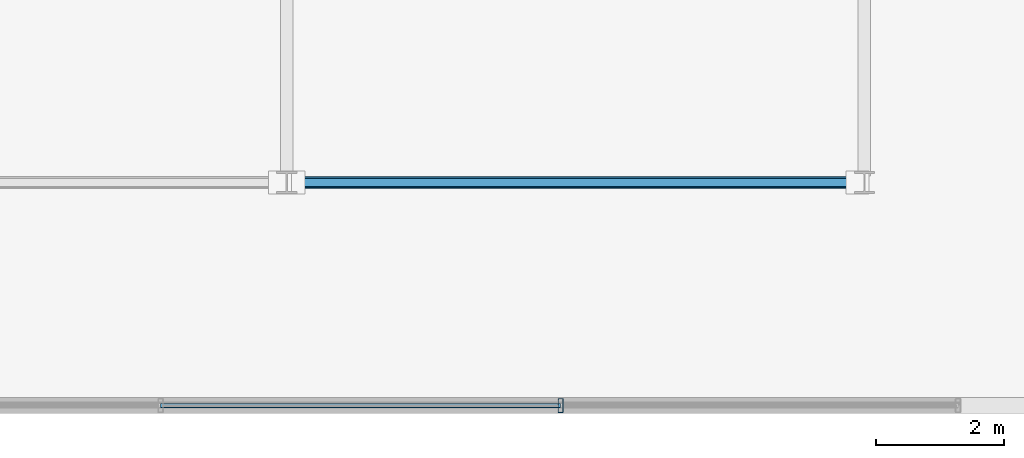
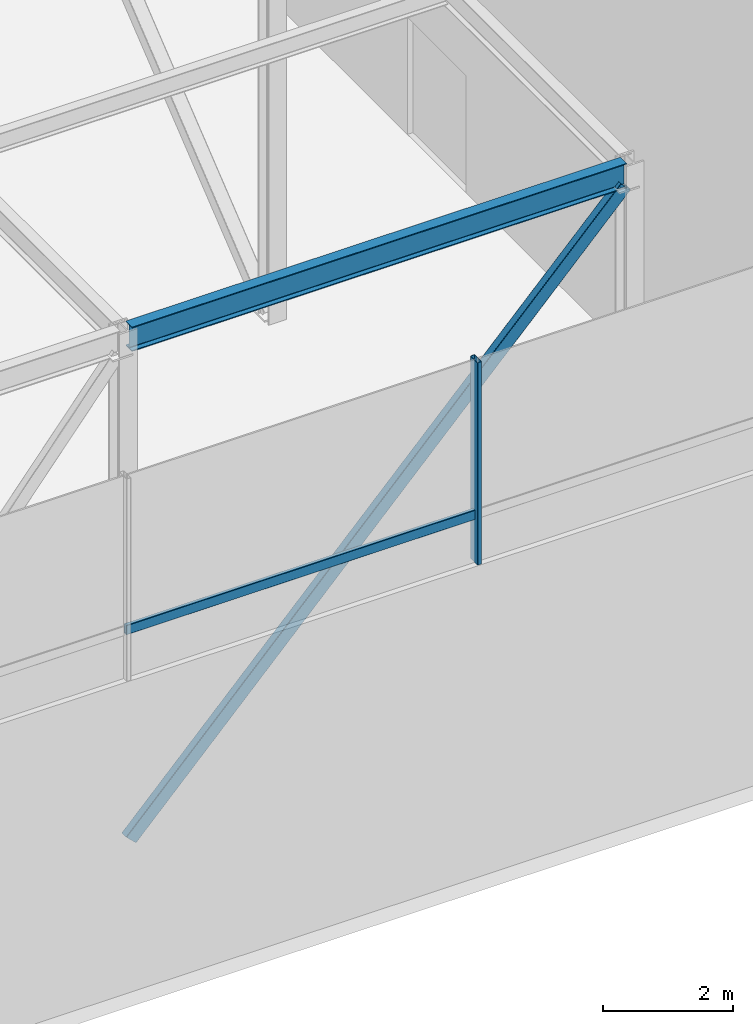
# One storey, part 7 of 42: 3 members, 1 beam, 1 element without a shape of its own.
"""IFC4 building model written with IfcOpenShell, lengths in metres."""

from ifc_helpers import new_model, si_unit, direction, frame, origin, origin_2d, place, context, subcontext, project, spatial, hollow_rectangle, i_section, extrude, material, layer, layer_set, material_profile, profile_set, type_object, element, aggregate, save


model = new_model("IFC4")

# Units and contexts
model_context = context("Model", 3, precision=1e-05, world=origin(), true_north=direction((0.0, 1.0)))
body_context = subcontext(model_context, "Body", "Model", "MODEL_VIEW")
ifc_project = project(units=[si_unit("LENGTHUNIT", "METRE"), si_unit("AREAUNIT", "SQUARE_METRE"), si_unit("VOLUMEUNIT", "CUBIC_METRE"), si_unit("PLANEANGLEUNIT", "RADIAN"), si_unit("MASSUNIT", "GRAM", prefix="KILO")], contexts=[model_context])

# Site, building, storey
site_placement = place(None, origin())
site = spatial("IfcSite", under=ifc_project, at=site_placement, CompositionType="ELEMENT")
building_placement = place(site_placement, origin())
building = spatial("IfcBuilding", under=site, at=building_placement, Name="Korimba Cascade Residences", CompositionType="ELEMENT")
storey_placement = place(building_placement, frame((0.0, 0.0, 207.60009765625)))
storey = spatial("IfcBuildingStorey", under=building, at=storey_placement, Name="L60", CompositionType="ELEMENT", Elevation=207.60009765625)

# Beam
ifc_material_1 = material(Name="Steel S355", Category="steel")
ifc_material_profile_1 = material_profile(ifc_material_1, i_section(OverallWidth=0.19140625, OverallDepth=0.4599609375, WebThickness=0.010009765625, FlangeThickness=0.01611328125, FilletRadius=0.01025390625, at=origin_2d()), Name="Steel S355")
ifc_profile_set_1 = profile_set([ifc_material_profile_1], Name="Steel S355")
beam_type = type_object("IfcBeamType", Name="BM-STL-UB457", PredefinedType="JOIST", material=ifc_profile_set_1)
beam_placement = place(storey_placement, frame((82.205078125, -4.199951171875, 9.419921875), z_axis=(1.0, 0.0, 0.0), x_axis=(0.0, 1.0, 0.0)))
element("IfcBeam", 1, at=beam_placement, inside=storey, type_object=beam_type, Name="L60 Crown Cap Ring Beam W1.2", PredefinedType="JOIST", context=body_context, shape_type="SweptSolid", body=[
    extrude(i_section(OverallWidth=0.19140625, OverallDepth=0.4599609375, WebThickness=0.010009765625, FlangeThickness=0.01611328125, FilletRadius=0.01025390625, at=origin_2d()), origin(), (0.0, 0.0, 1.0), 8.7900390625),
])

# Curtain wall, members
ifc_material_2 = material(Name="Anodised Aluminium Curtain Wall Framing", Category="aluminium")
ifc_layer = layer(ifc_material_2, 0.179931640625)
ifc_layer_set = layer_set([ifc_layer], Name="Anodised Aluminium Curtain Wall Framing")
curtain_wall_type = type_object("IfcCurtainWallType", Name="CW-CRNE-SYS6", PredefinedType="NOTDEFINED", material=ifc_layer_set)
curtain_wall_placement = place(storey_placement, origin())
curtain_wall = element("IfcCurtainWall", 2, at=curtain_wall_placement, inside=storey, type_object=curtain_wall_type, Name="L60 Curtain Wall CW-L60-CRN-W-3", PredefinedType="NOTDEFINED")
ifc_material_3 = material(Name="Anodised Aluminium Mullion", Category="aluminium")
ifc_material_profile_2 = material_profile(ifc_material_3, hollow_rectangle(XDim=0.080078125, YDim=0.219970703125, WallThickness=0.00634765625, InnerFilletRadius=0.00634765625, OuterFilletRadius=0.0126953125, at=origin_2d()), Name="Anodised Aluminium Mullion")
ifc_profile_set_2 = profile_set([ifc_material_profile_2], Name="Anodised Aluminium Mullion")
member_type_1 = type_object("IfcMemberType", Name="CWM-MUL-220", PredefinedType="MULLION", material=ifc_profile_set_2)
member_1_placement = place(storey_placement, frame((86.36669921875, -7.675048828125, 5.849853515625), z_axis=(0.0, 0.0, 1.0), x_axis=(1.0, 0.0, 0.0)))
member_1 = element("IfcMember", 3, at=member_1_placement, type_object=member_type_1, Name="CW-L60-CRN-W-3 Mullion 3", PredefinedType="MULLION", context=body_context, shape_type="SweptSolid", body=[
    extrude(hollow_rectangle(XDim=0.080078125, YDim=0.219970703125, WallThickness=0.00634765625, InnerFilletRadius=0.00634765625, OuterFilletRadius=0.0126953125, at=origin_2d()), origin(), (0.0, 0.0, 1.0), 3.800048828125),
])
ifc_material_4 = material(Name="Anodised Aluminium Transom", Category="aluminium")
ifc_material_profile_3 = material_profile(ifc_material_4, hollow_rectangle(XDim=0.070068359375, YDim=0.179931640625, WallThickness=0.0048828125, InnerFilletRadius=0.0048828125, OuterFilletRadius=0.010009765625, at=origin_2d()), Name="Anodised Aluminium Transom")
ifc_profile_set_3 = profile_set([ifc_material_profile_3], Name="Anodised Aluminium Transom")
member_type_2 = type_object("IfcMemberType", Name="CWM-TRN-150", PredefinedType="USERDEFINED", material=ifc_profile_set_3)
member_2_placement = place(storey_placement, frame((80.13330078125, -7.675048828125, 6.75), z_axis=(1.0, 0.0, 0.0), x_axis=(0.0, 1.0, 0.0)))
member_2 = element("IfcMember", 4, at=member_2_placement, type_object=member_type_2, Name="CW-L60-CRN-W-3 Transom 2", ObjectType="TRANSOM", PredefinedType="USERDEFINED", context=body_context, shape_type="SweptSolid", body=[
    extrude(hollow_rectangle(XDim=0.070068359375, YDim=0.179931640625, WallThickness=0.0048828125, InnerFilletRadius=0.0048828125, OuterFilletRadius=0.010009765625, at=origin_2d()), origin(), (0.0, 0.0, 1.0), 6.2333984375),
])
aggregate(curtain_wall, [member_1, member_2])

# Member
ifc_material_profile_4 = material_profile(ifc_material_1, hollow_rectangle(XDim=0.14990234375, YDim=0.25, WallThickness=0.009033203125, InnerFilletRadius=0.009033203125, OuterFilletRadius=0.01806640625, at=origin_2d()), Name="Steel S355")
ifc_profile_set_4 = profile_set([ifc_material_profile_4], Name="Steel S355")
member_type_3 = type_object("IfcMemberType", Name="MEM-CRN-RHS250", PredefinedType="BRACE", material=ifc_profile_set_4)
member_3_placement = place(storey_placement, frame((82.205078125, -4.199951171875, 0.0), z_axis=(0.690978589463, 0.0, 0.722875223606), x_axis=(0.0, 1.0, 0.0)))
element("IfcMember", 5, at=member_3_placement, inside=storey, type_object=member_type_3, Name="L60 CROWN FRAME Diagonal Brace W1.2", PredefinedType="BRACE", context=body_context, shape_type="SweptSolid", body=[
    extrude(hollow_rectangle(XDim=0.14990234375, YDim=0.25, WallThickness=0.009033203125, InnerFilletRadius=0.009033203125, OuterFilletRadius=0.01806640625, at=origin_2d()), origin(), (0.0, 0.0, 1.0), 12.72119140625),
])

save(model, "model.ifc")
